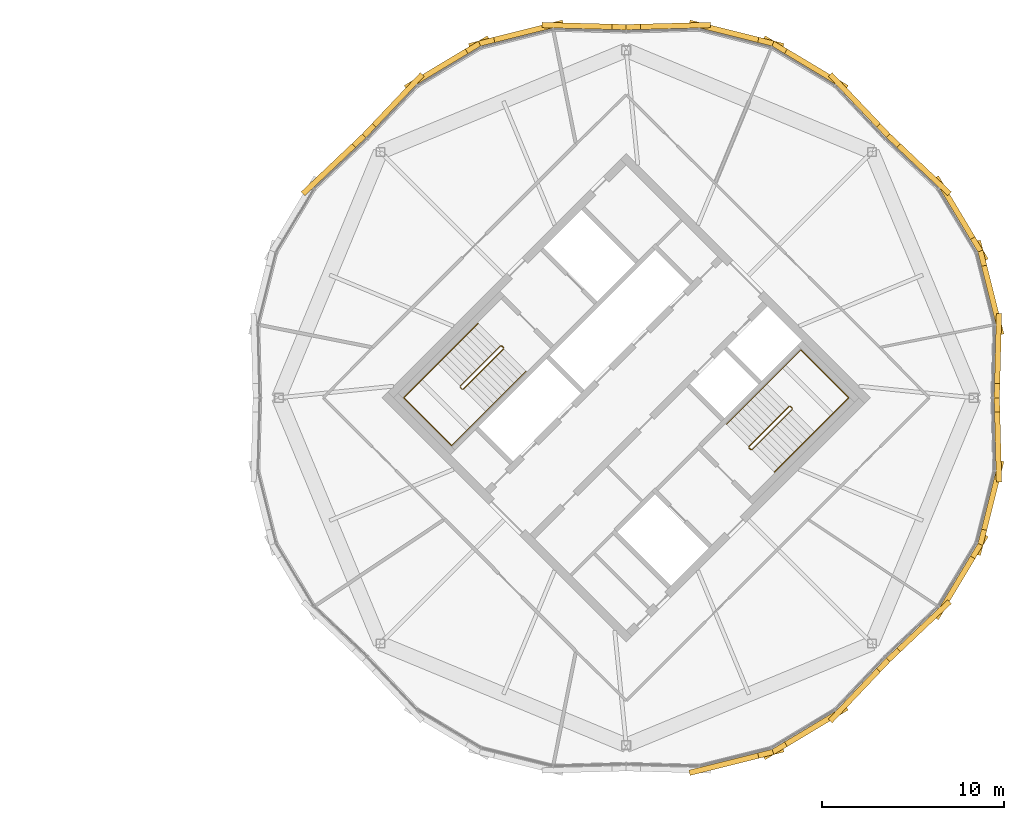
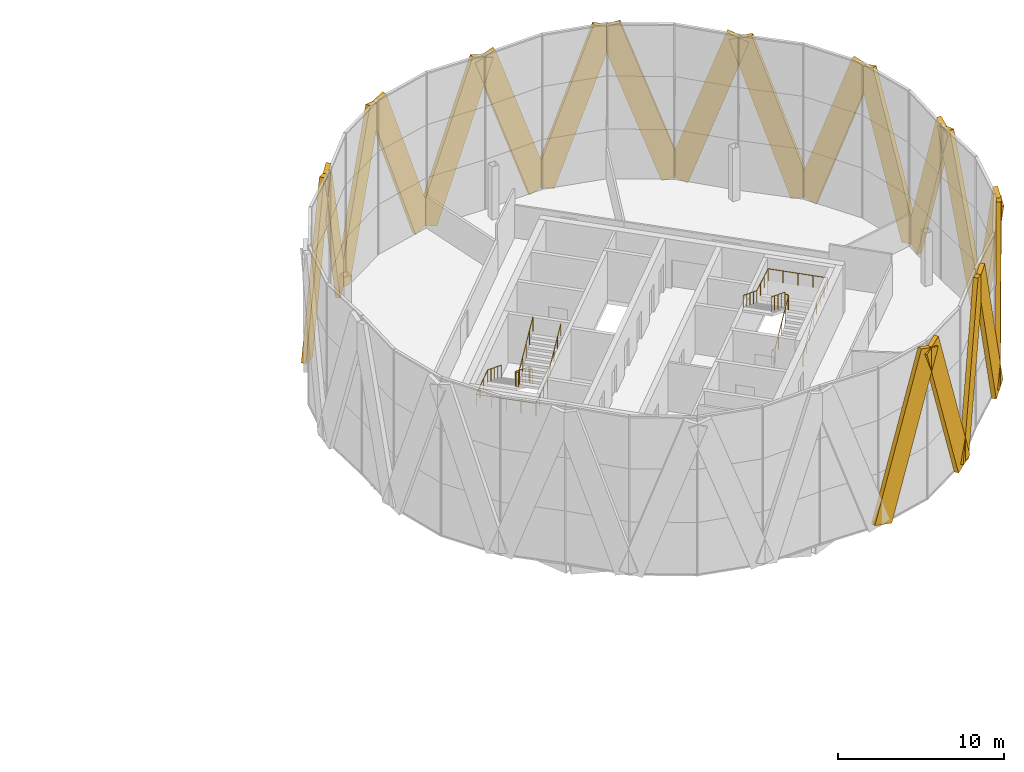
# One storey, part 22 of 22: 20 coverings, 4 railings.
"""IFC4 building model written with IfcOpenShell, lengths in metres."""

from ifc_helpers import new_model, si_unit, direction, frame, origin, origin_2d, place, context, subcontext, project, spatial, rectangle, circle, extrude, material, material_profile, profile_set, type_object, element, save


model = new_model("IFC4")

# Units and contexts
model_context = context("Model", 3, precision=1e-05, world=origin(), true_north=direction((0.0, 1.0)))
body_context = subcontext(model_context, "Body", "Model", "MODEL_VIEW")
ifc_project = project(units=[si_unit("LENGTHUNIT", "METRE"), si_unit("AREAUNIT", "SQUARE_METRE"), si_unit("VOLUMEUNIT", "CUBIC_METRE"), si_unit("PLANEANGLEUNIT", "RADIAN"), si_unit("MASSUNIT", "GRAM", prefix="KILO")], contexts=[model_context])

# Site, building, storey
site_placement = place(None, origin())
site = spatial("IfcSite", under=ifc_project, at=site_placement, CompositionType="ELEMENT")
building_placement = place(site_placement, origin())
building = spatial("IfcBuilding", under=site, at=building_placement, Name="Ogive Gate Towers", CompositionType="ELEMENT")
storey_placement = place(building_placement, frame((0.0, 0.0, 228.89990234375)))
storey = spatial("IfcBuildingStorey", under=building, at=storey_placement, Name="L54", CompositionType="ELEMENT", Elevation=228.89990234375)

# Coverings
ifc_material_1 = material(Name="Pale metal aluminium", Category="aluminium")
ifc_material_profile = material_profile(ifc_material_1, rectangle(XDim=0.300048828125, YDim=1.5, at=origin_2d()), Name="1500 x 300 pale metal aluminium")
ifc_profile_set = profile_set([ifc_material_profile], Name="Pale metal aluminium")
covering_type = type_object("IfcCoveringType", Name="Facade fin 1500 x 300", PredefinedType="CLADDING", material=ifc_profile_set)
covering_1_placement = place(storey_placement, frame((56.483154296875, 3.928955078125, -0.004150390625), z_axis=(-0.008596738117, -0.327444355965, 0.944831355238), x_axis=(0.99965554068, -0.026244999292, 0.0)))
element("IfcCovering", 1, at=covering_1_placement, inside=storey, type_object=covering_type, Name="Facade fin", PredefinedType="CLADDING", context=body_context, shape_type="SweptSolid", body=[
    extrude(rectangle(XDim=0.300048828125, YDim=1.5, at=origin_2d()), origin(), (0.0, 0.0, 1.0), 11.75732421875),
])
for number, where, z_axis, x_axis, name in (
    (2, (56.457275390625, 4.160888671875, -0.0009765625), (-0.080630212116, 0.321960772382, 0.943313325434), (-0.970043156168, -0.24293265563, 0.0), "Facade fin"),
    (3, (53.40771484375, 11.523193359375, -0.0009765625), (0.170637335239, -0.284665226293, 0.943317872598), (0.857707929439, 0.514137246052, 0.0), "Facade fin"),
):
    element("IfcCovering", number, at=place(storey_placement, frame(where, z_axis=z_axis, x_axis=x_axis)), inside=storey, type_object=covering_type, Name=name, PredefinedType="CLADDING", context=body_context, shape_type="SweptSolid", body=[
        extrude(rectangle(XDim=0.300048828125, YDim=1.5, at=origin_2d()), origin(), (0.0, 0.0, 1.0), 11.76953125),
    ])
for number, where, z_axis, x_axis, name in (
    (4, (53.261962890625, 11.70556640625, -0.004150390625), (-0.237614382414, 0.225466832496, 0.944830203113), (-0.688321168334, -0.725406071951, 0.0), "Facade fin"),
    (5, (47.70556640625, 17.261962890625, -0.004150390625), (0.225466832496, -0.237614382414, 0.944830203113), (0.725406071951, 0.688321168334, 0.0), "Facade fin"),
):
    element("IfcCovering", number, at=place(storey_placement, frame(where, z_axis=z_axis, x_axis=x_axis)), inside=storey, type_object=covering_type, Name=name, PredefinedType="CLADDING", context=body_context, shape_type="SweptSolid", body=[
        extrude(rectangle(XDim=0.300048828125, YDim=1.5, at=origin_2d()), origin(), (0.0, 0.0, 1.0), 11.75732421875),
    ])
for number, where, z_axis, x_axis, name in (
    (6, (47.523193359375, 17.40771484375, -0.0009765625), (-0.284665226293, 0.170637335239, 0.943317872598), (-0.514137246052, -0.857707929439, 0.0), "Facade fin"),
    (7, (40.160888671875, 20.457275390625, -0.0009765625), (0.321960772382, -0.080630212116, 0.943313325434), (0.24293265563, 0.970043156168, 0.0), "Facade fin"),
):
    element("IfcCovering", number, at=place(storey_placement, frame(where, z_axis=z_axis, x_axis=x_axis)), inside=storey, type_object=covering_type, Name=name, PredefinedType="CLADDING", context=body_context, shape_type="SweptSolid", body=[
        extrude(rectangle(XDim=0.300048828125, YDim=1.5, at=origin_2d()), origin(), (0.0, 0.0, 1.0), 11.76953125),
    ])
for number, where, z_axis, x_axis, name in (
    (8, (39.928955078125, 20.483154296875, -0.004150390625), (-0.327444355965, -0.008596738117, 0.944831355238), (0.026244999292, -0.99965554068, 0.0), "Facade fin"),
    (9, (32.071044921875, 20.483154296875, -0.004150390625), (0.327444355965, -0.008596738117, 0.944831355238), (0.026244999292, 0.99965554068, 0.0), "Facade fin"),
):
    element("IfcCovering", number, at=place(storey_placement, frame(where, z_axis=z_axis, x_axis=x_axis)), inside=storey, type_object=covering_type, Name=name, PredefinedType="CLADDING", context=body_context, shape_type="SweptSolid", body=[
        extrude(rectangle(XDim=0.300048828125, YDim=1.5, at=origin_2d()), origin(), (0.0, 0.0, 1.0), 11.75732421875),
    ])
for number, where, z_axis, x_axis, name in (
    (10, (31.839111328125, 20.457275390625, -0.0009765625), (-0.321960772382, -0.080630212116, 0.943313325434), (0.24293265563, -0.970043156168, 0.0), "Facade fin"),
    (11, (24.476806640625, 17.40771484375, -0.0009765625), (0.284665226293, 0.170637335239, 0.943317872598), (-0.514137246052, 0.857707929439, 0.0), "Facade fin"),
):
    element("IfcCovering", number, at=place(storey_placement, frame(where, z_axis=z_axis, x_axis=x_axis)), inside=storey, type_object=covering_type, Name=name, PredefinedType="CLADDING", context=body_context, shape_type="SweptSolid", body=[
        extrude(rectangle(XDim=0.300048828125, YDim=1.5, at=origin_2d()), origin(), (0.0, 0.0, 1.0), 11.76953125),
    ])
for number, where, z_axis, x_axis, name in (
    (12, (24.29443359375, 17.261962890625, -0.004150390625), (-0.225466832496, -0.237614382414, 0.944830203113), (0.725406071951, -0.688321168334, 0.0), "Facade fin"),
    (13, (18.738037109375, 11.70556640625, -0.004150390625), (0.237614382414, 0.225466832496, 0.944830203113), (-0.688321168334, 0.725406071951, 0.0), "Facade fin"),
):
    element("IfcCovering", number, at=place(storey_placement, frame(where, z_axis=z_axis, x_axis=x_axis)), inside=storey, type_object=covering_type, Name=name, PredefinedType="CLADDING", context=body_context, shape_type="SweptSolid", body=[
        extrude(rectangle(XDim=0.300048828125, YDim=1.5, at=origin_2d()), origin(), (0.0, 0.0, 1.0), 11.75732421875),
    ])
for number, where, z_axis, x_axis, name in (
    (14, (40.160888671875, -20.457275390625, -0.0009765625), (0.321960772382, 0.080630212116, 0.943313325434), (-0.24293265563, 0.970043156168, 0.0), "Facade fin"),
    (15, (47.523193359375, -17.40771484375, -0.0009765625), (-0.284665226293, -0.170637335239, 0.943317872598), (0.514137246052, -0.857707929439, 0.0), "Facade fin"),
):
    element("IfcCovering", number, at=place(storey_placement, frame(where, z_axis=z_axis, x_axis=x_axis)), inside=storey, type_object=covering_type, Name=name, PredefinedType="CLADDING", context=body_context, shape_type="SweptSolid", body=[
        extrude(rectangle(XDim=0.300048828125, YDim=1.5, at=origin_2d()), origin(), (0.0, 0.0, 1.0), 11.76953125),
    ])
for number, where, z_axis, x_axis, name in (
    (16, (47.70556640625, -17.261962890625, -0.004150390625), (0.225466832496, 0.237614382414, 0.944830203113), (-0.725406071951, 0.688321168334, 0.0), "Facade fin"),
    (17, (53.261962890625, -11.70556640625, -0.004150390625), (-0.237614382414, -0.225466832496, 0.944830203113), (0.688321168334, -0.725406071951, 0.0), "Facade fin"),
):
    element("IfcCovering", number, at=place(storey_placement, frame(where, z_axis=z_axis, x_axis=x_axis)), inside=storey, type_object=covering_type, Name=name, PredefinedType="CLADDING", context=body_context, shape_type="SweptSolid", body=[
        extrude(rectangle(XDim=0.300048828125, YDim=1.5, at=origin_2d()), origin(), (0.0, 0.0, 1.0), 11.75732421875),
    ])
for number, where, z_axis, x_axis, name in (
    (18, (53.40771484375, -11.523193359375, -0.0009765625), (0.170637335239, 0.284665226293, 0.943317872598), (-0.857707929439, 0.514137246052, 0.0), "Facade fin"),
    (19, (56.457275390625, -4.160888671875, -0.0009765625), (-0.080630212116, -0.321960772382, 0.943313325434), (0.970043156168, -0.24293265563, 0.0), "Facade fin"),
):
    element("IfcCovering", number, at=place(storey_placement, frame(where, z_axis=z_axis, x_axis=x_axis)), inside=storey, type_object=covering_type, Name=name, PredefinedType="CLADDING", context=body_context, shape_type="SweptSolid", body=[
        extrude(rectangle(XDim=0.300048828125, YDim=1.5, at=origin_2d()), origin(), (0.0, 0.0, 1.0), 11.76953125),
    ])
covering_2_placement = place(storey_placement, frame((56.483154296875, -3.928955078125, -0.004150390625), z_axis=(-0.008596738117, 0.327444355965, 0.944831355238), x_axis=(-0.99965554068, -0.026244999292, 0.0)))
element("IfcCovering", 20, at=covering_2_placement, inside=storey, type_object=covering_type, Name="Facade fin", PredefinedType="CLADDING", context=body_context, shape_type="SweptSolid", body=[
    extrude(rectangle(XDim=0.300048828125, YDim=1.5, at=origin_2d()), origin(), (0.0, 0.0, 1.0), 11.75732421875),
])

# Railings
ifc_material_2 = material(Name="Stainless steel", Category="steel")
railing_type_1 = type_object("IfcRailingType", Name="Stair guard 1100", PredefinedType="GUARDRAIL", material=ifc_material_2)
railing_1_placement = place(storey_placement, frame((29.15869140625, 2.8603515625, 0.0)))
element("IfcRailing", 21, at=railing_1_placement, inside=storey, type_object=railing_type_1, Name="L54 ST1 stair guard 1", PredefinedType="GUARDRAIL", context=body_context, shape_type="SweptSolid", body=[
    extrude(circle(Radius=0.02392578125, at=origin_2d()), frame((0.0, 0.0, 1.076171875), z_axis=(0.707106781187, -0.707106781187, 0.0), x_axis=(0.707106781187, 0.707106781187, 0.0)), (0.0, 0.0, 1.0), 0.14501953125),
    extrude(circle(Radius=0.02392578125, at=origin_2d()), frame((0.1025390625, -0.1025390625, 1.076171875), z_axis=(-0.645182954318, 0.382195826253, 0.661562775443), x_axis=(-0.509669330572, -0.860370369942, 0.0)), (0.0, 0.0, 1.0), 0.268310546875),
    extrude(circle(Radius=0.02392578125, at=origin_2d()), frame((-0.070556640625, 0.0, 1.25341796875), z_axis=(-0.61558473135, -0.61558473135, 0.49204763698), x_axis=(0.707106781187, -0.707106781187, 0.0)), (0.0, 0.0, 1.0), 3.602783203125),
    extrude(circle(Radius=0.02392578125, at=origin_2d()), frame((-2.288330078125, -2.2177734375, 3.0263671875), z_axis=(0.0, -1.0, 0.0), x_axis=(1.0, 0.0, 0.0)), (0.0, 0.0, 1.0), 0.07080078125),
    extrude(circle(Radius=0.02392578125, at=origin_2d()), frame((-2.288330078125, -2.28857421875, 3.0263671875), z_axis=(0.707106781187, -0.707106781187, 0.0), x_axis=(0.707106781187, 0.707106781187, 0.0)), (0.0, 0.0, 1.0), 0.14501953125),
    extrude(circle(Radius=0.02392578125, at=origin_2d()), frame((-2.185791015625, -2.39111328125, 3.0263671875), z_axis=(0.369845645421, 0.0, 0.929093213065), x_axis=(0.0, 1.0, 0.0)), (0.0, 0.0, 1.0), 0.190673828125),
    extrude(circle(Radius=0.02392578125, at=origin_2d()), frame((-2.115234375, -2.39111328125, 3.20361328125), z_axis=(0.61558473135, 0.61558473135, 0.49204763698), x_axis=(-0.707106781187, 0.707106781187, 0.0)), (0.0, 0.0, 1.0), 3.602783203125),
    extrude(circle(Radius=0.02099609375, at=origin_2d()), origin(), (0.0, 0.0, 1.0), 1.052001953125),
    extrude(circle(Radius=0.02099609375, at=origin_2d()), frame((0.1025390625, -0.1025390625, 0.0)), (0.0, 0.0, 1.0), 1.052001953125),
    extrude(circle(Radius=0.02099609375, at=origin_2d()), frame((-0.070556640625, 0.0, 0.177490234375)), (0.0, 0.0, 1.0), 1.052001953125),
    extrude(circle(Radius=0.02099609375, at=origin_2d()), frame((-0.625, -0.554443359375, 0.62060546875)), (0.0, 0.0, 1.0), 1.052001953125),
    extrude(circle(Radius=0.02099609375, at=origin_2d()), frame((-1.179443359375, -1.10888671875, 1.06396484375)), (0.0, 0.0, 1.0), 1.052001953125),
    extrude(circle(Radius=0.02099609375, at=origin_2d()), frame((-1.73388671875, -1.663330078125, 1.507080078125)), (0.0, 0.0, 1.0), 1.052001953125),
    extrude(circle(Radius=0.02099609375, at=origin_2d()), frame((-2.288330078125, -2.2177734375, 1.9501953125)), (0.0, 0.0, 1.0), 1.052001953125),
    extrude(circle(Radius=0.02099609375, at=origin_2d()), frame((-2.288330078125, -2.28857421875, 1.9501953125)), (0.0, 0.0, 1.0), 1.052001953125),
    extrude(circle(Radius=0.02099609375, at=origin_2d()), frame((-2.185791015625, -2.39111328125, 1.9501953125)), (0.0, 0.0, 1.0), 1.052001953125),
    extrude(circle(Radius=0.02099609375, at=origin_2d()), frame((-2.115234375, -2.39111328125, 2.12744140625)), (0.0, 0.0, 1.0), 1.052001953125),
    extrude(circle(Radius=0.02099609375, at=origin_2d()), frame((-1.560791015625, -1.836669921875, 2.570556640625)), (0.0, 0.0, 1.0), 1.052001953125),
    extrude(circle(Radius=0.02099609375, at=origin_2d()), frame((-1.00634765625, -1.2822265625, 3.013671875)), (0.0, 0.0, 1.0), 1.052001953125),
    extrude(circle(Radius=0.02099609375, at=origin_2d()), frame((-0.451904296875, -0.727783203125, 3.45703125)), (0.0, 0.0, 1.0), 1.052001953125),
    extrude(circle(Radius=0.02099609375, at=origin_2d()), frame((0.1025390625, -0.17333984375, 3.900146484375)), (0.0, 0.0, 1.0), 1.052001953125),
])
railing_2_placement = place(storey_placement, frame((42.84130859375, -2.8603515625, 0.0)))
element("IfcRailing", 22, at=railing_2_placement, inside=storey, type_object=railing_type_1, Name="L54 ST2 stair guard 1", PredefinedType="GUARDRAIL", context=body_context, shape_type="SweptSolid", body=[
    extrude(circle(Radius=0.02392578125, at=origin_2d()), frame((0.0, 0.0, 1.076171875), z_axis=(-0.707106781187, 0.707106781187, 0.0), x_axis=(-0.707106781187, -0.707106781187, 0.0)), (0.0, 0.0, 1.0), 0.14501953125),
    extrude(circle(Radius=0.02392578125, at=origin_2d()), frame((-0.1025390625, 0.1025390625, 1.076171875), z_axis=(0.645182954318, -0.382195826253, 0.661562775443), x_axis=(0.509669330572, 0.860370369942, 0.0)), (0.0, 0.0, 1.0), 0.268310546875),
    extrude(circle(Radius=0.02392578125, at=origin_2d()), frame((0.070556640625, 0.0, 1.25341796875), z_axis=(0.61558473135, 0.61558473135, 0.49204763698), x_axis=(-0.707106781187, 0.707106781187, 0.0)), (0.0, 0.0, 1.0), 3.602783203125),
    extrude(circle(Radius=0.02392578125, at=origin_2d()), frame((2.288330078125, 2.2177734375, 3.0263671875), z_axis=(0.0, 1.0, 0.0), x_axis=(-1.0, 0.0, 0.0)), (0.0, 0.0, 1.0), 0.07080078125),
    extrude(circle(Radius=0.02392578125, at=origin_2d()), frame((2.288330078125, 2.28857421875, 3.0263671875), z_axis=(-0.707106781187, 0.707106781187, 0.0), x_axis=(-0.707106781187, -0.707106781187, 0.0)), (0.0, 0.0, 1.0), 0.14501953125),
    extrude(circle(Radius=0.02392578125, at=origin_2d()), frame((2.185791015625, 2.39111328125, 3.0263671875), z_axis=(-0.369845645421, 0.0, 0.929093213065), x_axis=(0.0, -1.0, 0.0)), (0.0, 0.0, 1.0), 0.190673828125),
    extrude(circle(Radius=0.02392578125, at=origin_2d()), frame((2.115234375, 2.39111328125, 3.20361328125), z_axis=(-0.61558473135, -0.61558473135, 0.49204763698), x_axis=(0.707106781187, -0.707106781187, 0.0)), (0.0, 0.0, 1.0), 3.602783203125),
    extrude(circle(Radius=0.02099609375, at=origin_2d()), origin(), (0.0, 0.0, 1.0), 1.052001953125),
    extrude(circle(Radius=0.02099609375, at=origin_2d()), frame((-0.1025390625, 0.1025390625, 0.0)), (0.0, 0.0, 1.0), 1.052001953125),
    extrude(circle(Radius=0.02099609375, at=origin_2d()), frame((0.070556640625, 0.0, 0.177490234375)), (0.0, 0.0, 1.0), 1.052001953125),
    extrude(circle(Radius=0.02099609375, at=origin_2d()), frame((0.625, 0.554443359375, 0.62060546875)), (0.0, 0.0, 1.0), 1.052001953125),
    extrude(circle(Radius=0.02099609375, at=origin_2d()), frame((1.179443359375, 1.10888671875, 1.06396484375)), (0.0, 0.0, 1.0), 1.052001953125),
    extrude(circle(Radius=0.02099609375, at=origin_2d()), frame((1.73388671875, 1.663330078125, 1.507080078125)), (0.0, 0.0, 1.0), 1.052001953125),
    extrude(circle(Radius=0.02099609375, at=origin_2d()), frame((2.288330078125, 2.2177734375, 1.9501953125)), (0.0, 0.0, 1.0), 1.052001953125),
    extrude(circle(Radius=0.02099609375, at=origin_2d()), frame((2.288330078125, 2.28857421875, 1.9501953125)), (0.0, 0.0, 1.0), 1.052001953125),
    extrude(circle(Radius=0.02099609375, at=origin_2d()), frame((2.185791015625, 2.39111328125, 1.9501953125)), (0.0, 0.0, 1.0), 1.052001953125),
    extrude(circle(Radius=0.02099609375, at=origin_2d()), frame((2.115234375, 2.39111328125, 2.12744140625)), (0.0, 0.0, 1.0), 1.052001953125),
    extrude(circle(Radius=0.02099609375, at=origin_2d()), frame((1.560791015625, 1.836669921875, 2.570556640625)), (0.0, 0.0, 1.0), 1.052001953125),
    extrude(circle(Radius=0.02099609375, at=origin_2d()), frame((1.00634765625, 1.2822265625, 3.013671875)), (0.0, 0.0, 1.0), 1.052001953125),
    extrude(circle(Radius=0.02099609375, at=origin_2d()), frame((0.451904296875, 0.727783203125, 3.45703125)), (0.0, 0.0, 1.0), 1.052001953125),
    extrude(circle(Radius=0.02099609375, at=origin_2d()), frame((-0.1025390625, 0.17333984375, 3.900146484375)), (0.0, 0.0, 1.0), 1.052001953125),
])
railing_type_2 = type_object("IfcRailingType", Name="Stair handrail 900", PredefinedType="HANDRAIL", material=ifc_material_2)
railing_3_placement = place(storey_placement, frame((27.857666015625, 4.090576171875, 0.177490234375)))
element("IfcRailing", 23, at=railing_3_placement, inside=storey, type_object=railing_type_2, Name="L54 ST1 stair handrail 1", PredefinedType="HANDRAIL", context=body_context, shape_type="SweptSolid", body=[
    extrude(circle(Radius=0.02392578125, at=origin_2d()), frame((0.0, 0.0, 0.8759765625), z_axis=(-0.61558473135, -0.61558473135, 0.49204763698), x_axis=(0.707106781187, -0.707106781187, 0.0)), (0.0, 0.0, 1.0), 3.602783203125),
    extrude(circle(Radius=0.02392578125, at=origin_2d()), frame((-2.2177734375, -2.2177734375, 2.6484375), z_axis=(-0.707106781187, -0.707106781187, 0.0), x_axis=(0.707106781187, -0.707106781187, 0.0)), (0.0, 0.0, 1.0), 2.6484375),
    extrude(circle(Radius=0.02392578125, at=origin_2d()), frame((-4.090576171875, -4.090576171875, 2.6484375), z_axis=(0.707106781187, -0.707106781187, 0.0), x_axis=(0.707106781187, 0.707106781187, 0.0)), (0.0, 0.0, 1.0), 3.72509765625),
    extrude(circle(Radius=0.02392578125, at=origin_2d()), frame((-1.45654296875, -6.724609375, 2.6484375), z_axis=(0.705482886452, 0.705574853978, 0.066768423356), x_axis=(-0.70715286629, 0.70706069308, 0.0)), (0.0, 0.0, 1.0), 2.654541015625),
    extrude(circle(Radius=0.02392578125, at=origin_2d()), frame((0.416259765625, -4.8515625, 2.82568359375), z_axis=(0.615610411033, 0.615542642384, 0.4920681632), x_axis=(-0.70706785752, 0.70714570271, 0.0)), (0.0, 0.0, 1.0), 3.6025390625),
    extrude(circle(Radius=0.02099609375, at=origin_2d()), origin(), (0.0, 0.0, 1.0), 0.851806640625),
    extrude(circle(Radius=0.02099609375, at=origin_2d()), frame((-0.554443359375, -0.554443359375, 0.443115234375)), (0.0, 0.0, 1.0), 0.851806640625),
    extrude(circle(Radius=0.02099609375, at=origin_2d()), frame((-1.10888671875, -1.10888671875, 0.88623046875)), (0.0, 0.0, 1.0), 0.851806640625),
    extrude(circle(Radius=0.02099609375, at=origin_2d()), frame((-1.663330078125, -1.663330078125, 1.32958984375)), (0.0, 0.0, 1.0), 0.851806640625),
    extrude(circle(Radius=0.02099609375, at=origin_2d()), frame((-2.2177734375, -2.2177734375, 1.772705078125)), (0.0, 0.0, 1.0), 0.851806640625),
    extrude(circle(Radius=0.02099609375, at=origin_2d()), frame((-2.842041015625, -2.842041015625, 1.772705078125)), (0.0, 0.0, 1.0), 0.851806640625),
    extrude(circle(Radius=0.02099609375, at=origin_2d()), frame((-3.46630859375, -3.46630859375, 1.772705078125)), (0.0, 0.0, 1.0), 0.851806640625),
    extrude(circle(Radius=0.02099609375, at=origin_2d()), frame((-4.090576171875, -4.090576171875, 1.772705078125)), (0.0, 0.0, 1.0), 0.851806640625),
    extrude(circle(Radius=0.02099609375, at=origin_2d()), frame((-3.43212890625, -4.7490234375, 1.772705078125)), (0.0, 0.0, 1.0), 0.851806640625),
    extrude(circle(Radius=0.02099609375, at=origin_2d()), frame((-2.7734375, -5.40771484375, 1.772705078125)), (0.0, 0.0, 1.0), 0.851806640625),
    extrude(circle(Radius=0.02099609375, at=origin_2d()), frame((-2.114990234375, -6.066162109375, 1.772705078125)), (0.0, 0.0, 1.0), 0.851806640625),
    extrude(circle(Radius=0.02099609375, at=origin_2d()), frame((-1.45654296875, -6.724609375, 1.772705078125)), (0.0, 0.0, 1.0), 0.851806640625),
    extrude(circle(Radius=0.02099609375, at=origin_2d()), frame((-0.832275390625, -6.100341796875, 1.831787109375)), (0.0, 0.0, 1.0), 0.851806640625),
    extrude(circle(Radius=0.02099609375, at=origin_2d()), frame((-0.2080078125, -5.475830078125, 1.890869140625)), (0.0, 0.0, 1.0), 0.851806640625),
    extrude(circle(Radius=0.02099609375, at=origin_2d()), frame((0.416259765625, -4.8515625, 1.949951171875)), (0.0, 0.0, 1.0), 0.851806640625),
    extrude(circle(Radius=0.02099609375, at=origin_2d()), frame((0.970703125, -4.297119140625, 2.39306640625)), (0.0, 0.0, 1.0), 0.851806640625),
    extrude(circle(Radius=0.02099609375, at=origin_2d()), frame((1.525146484375, -3.74267578125, 2.83642578125)), (0.0, 0.0, 1.0), 0.851806640625),
    extrude(circle(Radius=0.02099609375, at=origin_2d()), frame((2.07958984375, -3.1884765625, 3.279541015625)), (0.0, 0.0, 1.0), 0.851806640625),
    extrude(circle(Radius=0.02099609375, at=origin_2d()), frame((2.634033203125, -2.634033203125, 3.72265625)), (0.0, 0.0, 1.0), 0.851806640625),
])
railing_4_placement = place(storey_placement, frame((44.142333984375, -4.090576171875, 0.177490234375)))
element("IfcRailing", 24, at=railing_4_placement, inside=storey, type_object=railing_type_2, Name="L54 ST2 stair handrail 1", PredefinedType="HANDRAIL", context=body_context, shape_type="SweptSolid", body=[
    extrude(circle(Radius=0.02392578125, at=origin_2d()), frame((0.0, 0.0, 0.8759765625), z_axis=(0.61558473135, 0.61558473135, 0.49204763698), x_axis=(-0.707106781187, 0.707106781187, 0.0)), (0.0, 0.0, 1.0), 3.602783203125),
    extrude(circle(Radius=0.02392578125, at=origin_2d()), frame((2.2177734375, 2.2177734375, 2.6484375), z_axis=(0.707106781187, 0.707106781187, 0.0), x_axis=(-0.707106781187, 0.707106781187, 0.0)), (0.0, 0.0, 1.0), 2.6484375),
    extrude(circle(Radius=0.02392578125, at=origin_2d()), frame((4.090576171875, 4.090576171875, 2.6484375), z_axis=(-0.707106781187, 0.707106781187, 0.0), x_axis=(-0.707106781187, -0.707106781187, 0.0)), (0.0, 0.0, 1.0), 3.72509765625),
    extrude(circle(Radius=0.02392578125, at=origin_2d()), frame((1.45654296875, 6.724609375, 2.6484375), z_axis=(-0.705482886452, -0.705574853978, 0.066768423356), x_axis=(0.70715286629, -0.70706069308, 0.0)), (0.0, 0.0, 1.0), 2.654541015625),
    extrude(circle(Radius=0.02392578125, at=origin_2d()), frame((-0.416259765625, 4.8515625, 2.82568359375), z_axis=(-0.615610411033, -0.615542642384, 0.4920681632), x_axis=(0.70706785752, -0.70714570271, 0.0)), (0.0, 0.0, 1.0), 3.6025390625),
    extrude(circle(Radius=0.02099609375, at=origin_2d()), origin(), (0.0, 0.0, 1.0), 0.851806640625),
    extrude(circle(Radius=0.02099609375, at=origin_2d()), frame((0.554443359375, 0.554443359375, 0.443115234375)), (0.0, 0.0, 1.0), 0.851806640625),
    extrude(circle(Radius=0.02099609375, at=origin_2d()), frame((1.10888671875, 1.10888671875, 0.88623046875)), (0.0, 0.0, 1.0), 0.851806640625),
    extrude(circle(Radius=0.02099609375, at=origin_2d()), frame((1.663330078125, 1.663330078125, 1.32958984375)), (0.0, 0.0, 1.0), 0.851806640625),
    extrude(circle(Radius=0.02099609375, at=origin_2d()), frame((2.2177734375, 2.2177734375, 1.772705078125)), (0.0, 0.0, 1.0), 0.851806640625),
    extrude(circle(Radius=0.02099609375, at=origin_2d()), frame((2.842041015625, 2.842041015625, 1.772705078125)), (0.0, 0.0, 1.0), 0.851806640625),
    extrude(circle(Radius=0.02099609375, at=origin_2d()), frame((3.46630859375, 3.46630859375, 1.772705078125)), (0.0, 0.0, 1.0), 0.851806640625),
    extrude(circle(Radius=0.02099609375, at=origin_2d()), frame((4.090576171875, 4.090576171875, 1.772705078125)), (0.0, 0.0, 1.0), 0.851806640625),
    extrude(circle(Radius=0.02099609375, at=origin_2d()), frame((3.43212890625, 4.7490234375, 1.772705078125)), (0.0, 0.0, 1.0), 0.851806640625),
    extrude(circle(Radius=0.02099609375, at=origin_2d()), frame((2.7734375, 5.40771484375, 1.772705078125)), (0.0, 0.0, 1.0), 0.851806640625),
    extrude(circle(Radius=0.02099609375, at=origin_2d()), frame((2.114990234375, 6.066162109375, 1.772705078125)), (0.0, 0.0, 1.0), 0.851806640625),
    extrude(circle(Radius=0.02099609375, at=origin_2d()), frame((1.45654296875, 6.724609375, 1.772705078125)), (0.0, 0.0, 1.0), 0.851806640625),
    extrude(circle(Radius=0.02099609375, at=origin_2d()), frame((0.832275390625, 6.100341796875, 1.831787109375)), (0.0, 0.0, 1.0), 0.851806640625),
    extrude(circle(Radius=0.02099609375, at=origin_2d()), frame((0.2080078125, 5.475830078125, 1.890869140625)), (0.0, 0.0, 1.0), 0.851806640625),
    extrude(circle(Radius=0.02099609375, at=origin_2d()), frame((-0.416259765625, 4.8515625, 1.949951171875)), (0.0, 0.0, 1.0), 0.851806640625),
    extrude(circle(Radius=0.02099609375, at=origin_2d()), frame((-0.970703125, 4.297119140625, 2.39306640625)), (0.0, 0.0, 1.0), 0.851806640625),
    extrude(circle(Radius=0.02099609375, at=origin_2d()), frame((-1.525146484375, 3.74267578125, 2.83642578125)), (0.0, 0.0, 1.0), 0.851806640625),
    extrude(circle(Radius=0.02099609375, at=origin_2d()), frame((-2.07958984375, 3.1884765625, 3.279541015625)), (0.0, 0.0, 1.0), 0.851806640625),
    extrude(circle(Radius=0.02099609375, at=origin_2d()), frame((-2.634033203125, 2.634033203125, 3.72265625)), (0.0, 0.0, 1.0), 0.851806640625),
])

save(model, "model.ifc")
